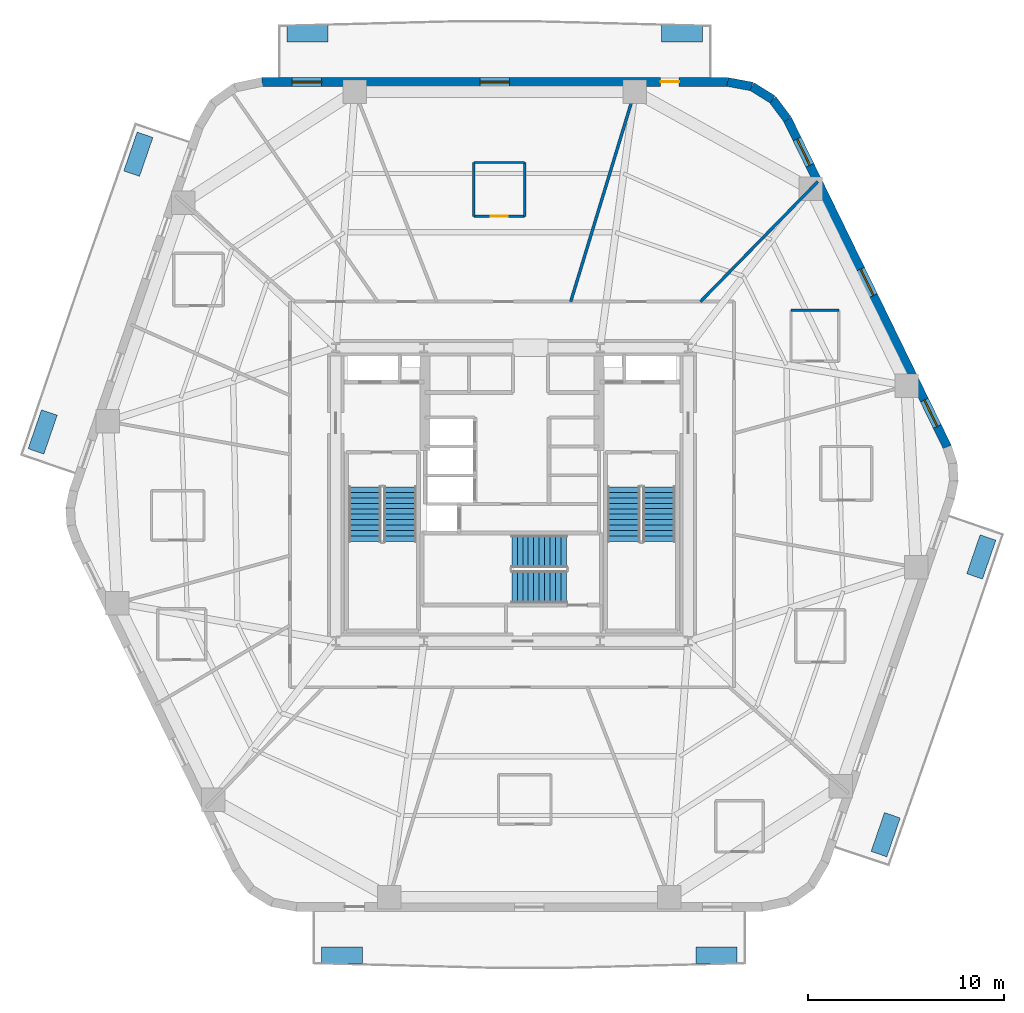
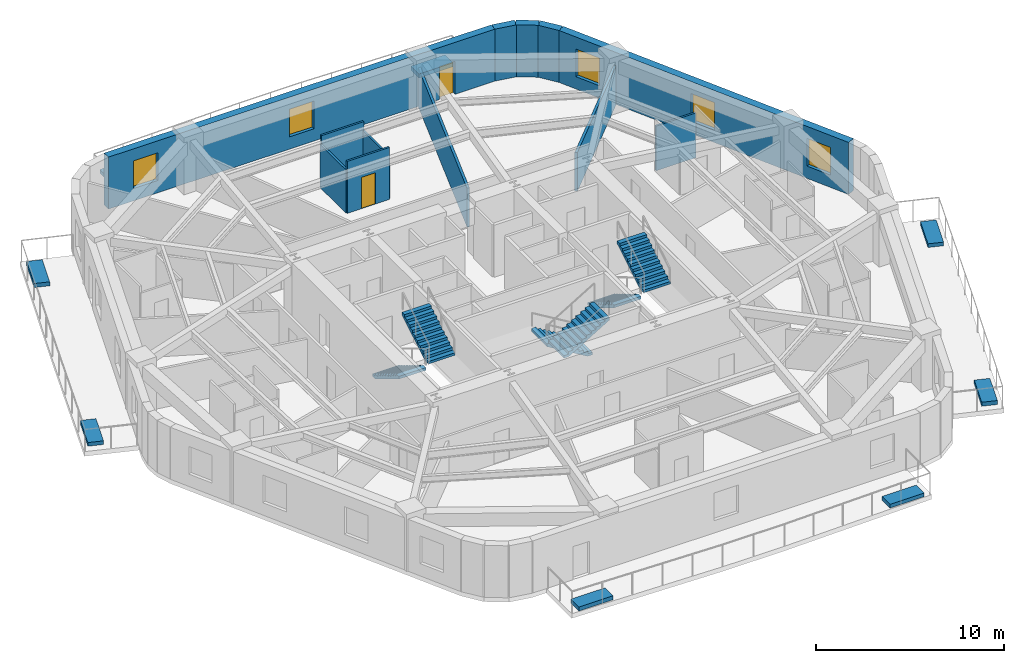
# One storey, part 6 of 8: 12 walls, 8 discrete accessories, 6 stair flights, 5 windows, 2 doors, 7 openings, 3 elements without a shape of their own.
"""IFC4 building model written with IfcOpenShell, lengths in metres."""

from ifc_helpers import new_model, si_unit, direction, frame, frame_2d, origin, origin_2d, place, context, subcontext, project, spatial, polyline, rectangle, outline, extrude, material, layer, layer_set, type_object, element, fill, aggregate, save


model = new_model("IFC4")

# Units and contexts
model_context = context("Model", 3, precision=1e-05, world=origin(), true_north=direction((0.0, 1.0)))
body_context = subcontext(model_context, "Body", "Model", "MODEL_VIEW")
ifc_project = project(units=[si_unit("LENGTHUNIT", "METRE"), si_unit("AREAUNIT", "SQUARE_METRE"), si_unit("VOLUMEUNIT", "CUBIC_METRE"), si_unit("PLANEANGLEUNIT", "RADIAN"), si_unit("MASSUNIT", "GRAM", prefix="KILO")], contexts=[model_context])

# Site, building, storey
site_placement = place(None, origin())
site = spatial("IfcSite", under=ifc_project, at=site_placement, CompositionType="ELEMENT")
building_placement = place(site_placement, origin())
building = spatial("IfcBuilding", under=site, at=building_placement, Name="Kilnhurst Terrace Hotel", CompositionType="ELEMENT")
storey_placement = place(building_placement, frame((0.0, 0.0, 135.800048828125)))
storey = spatial("IfcBuildingStorey", under=building, at=storey_placement, Name="L33", CompositionType="ELEMENT", Elevation=135.800048828125)

# Walls
ifc_material_1 = material(Name="Precast concrete C40/50", Category="concrete")
ifc_layer_1 = layer(ifc_material_1, 0.449951171875, Name="Precast concrete C40/50")
ifc_layer_set_1 = layer_set([ifc_layer_1], Name="Precast concrete C40/50")
wall_type_1 = type_object("IfcWallType", Name="WL-BRK-450", PredefinedType="SOLIDWALL", material=ifc_layer_set_1)
wall_1_placement = place(storey_placement, frame((14.07568359375, 19.16064453125, 0.0), z_axis=(0.0, 0.0, 1.0), x_axis=(-0.597226657159, 0.802072515412, 0.0)))
element("IfcWall", 1, at=wall_1_placement, inside=storey, type_object=wall_type_1, Name="L33 Rounded Corner Brick Wall C4.1", PredefinedType="SOLIDWALL", context=body_context, shape_type="SweptSolid", body=[
    extrude(rectangle(XDim=1.269287109375, YDim=0.449951171875, at=frame_2d((0.634765625, 0.0))), origin(), (0.0, 0.0, 1.0), 3.3798828125),
])
wall_2_placement = place(storey_placement, frame((13.317626953125, 20.1787109375, 0.0), z_axis=(0.0, 0.0, 1.0), x_axis=(-0.848031272749, 0.529946186362, 0.0)))
element("IfcWall", 2, at=wall_2_placement, inside=storey, type_object=wall_type_1, Name="L33 Rounded Corner Brick Wall C4.2", PredefinedType="SOLIDWALL", context=body_context, shape_type="SweptSolid", body=[
    extrude(rectangle(XDim=1.248046875, YDim=0.449951171875, at=frame_2d((0.6240234375, 0.0))), origin(), (0.0, 0.0, 1.0), 3.3798828125),
])
wall_3_placement = place(storey_placement, frame((12.25927734375, 20.840087890625, 0.0), z_axis=(0.0, 0.0, 1.0), x_axis=(-0.982730354425, 0.185043374624, 0.0)))
element("IfcWall", 3, at=wall_3_placement, inside=storey, type_object=wall_type_1, Name="L33 Rounded Corner Brick Wall C4.3", PredefinedType="SOLIDWALL", context=body_context, shape_type="SweptSolid", body=[
    extrude(rectangle(XDim=1.269287109375, YDim=0.449951171875, at=frame_2d((0.634765625, 0.0))), origin(), (0.0, 0.0, 1.0), 3.3798828125),
])

# Wall, openings, windows
wall_4_placement = place(storey_placement, frame((22.237548828125, 2.426513671875, 0.0), z_axis=(0.0, 0.0, 1.0), x_axis=(-0.438374803278, 0.898792262901, 0.0)))
wall_4 = element("IfcWall", 4, at=wall_4_placement, inside=storey, type_object=wall_type_1, Name="L33 Exterior Brick Facade Wall F3", PredefinedType="SOLIDWALL", context=body_context, shape_type="SweptSolid", body=[
    extrude(rectangle(XDim=18.618408203125, YDim=0.449951171875, at=frame_2d((9.30908203125, 0.0))), origin(), (0.0, 0.0, 1.0), 3.3798828125),
])
opening_1_placement = place(wall_4_placement, frame((8.610107421875, 0.0, 0.800048828125)))
opening_1 = element("IfcOpeningElement", 5, at=opening_1_placement, cuts=wall_4, Name="Opening W-02", PredefinedType="OPENING", context=body_context, shape_type="SweptSolid", body=[
    extrude(rectangle(XDim=1.5, YDim=1.800048828125, at=frame_2d((0.75, 0.89990234375))), frame((0.0, 0.23486328125, 0.0), z_axis=(0.0, -1.0, 0.0), x_axis=(1.0, 0.0, 0.0)), (0.0, 0.0, 1.0), 0.469970703125),
])
opening_2_placement = place(wall_4_placement, frame((16.006103515625, 0.0, 0.800048828125)))
opening_2 = element("IfcOpeningElement", 6, at=opening_2_placement, cuts=wall_4, Name="Opening W-02", PredefinedType="OPENING", context=body_context, shape_type="SweptSolid", body=[
    extrude(rectangle(XDim=1.5, YDim=1.800048828125, at=frame_2d((0.75, 0.89990234375))), frame((0.0, 0.23486328125, 0.0), z_axis=(0.0, -1.0, 0.0), x_axis=(1.0, 0.0, 0.0)), (0.0, 0.0, 1.0), 0.469970703125),
])
opening_3_placement = place(wall_4_placement, frame((1.1630859375, 0.0, 0.800048828125)))
opening_3 = element("IfcOpeningElement", 7, at=opening_3_placement, cuts=wall_4, Name="Opening W-02", PredefinedType="OPENING", context=body_context, shape_type="SweptSolid", body=[
    extrude(rectangle(XDim=1.5, YDim=1.800048828125, at=frame_2d((0.75, 0.89990234375))), frame((0.0, 0.23486328125, 0.0), z_axis=(0.0, -1.0, 0.0), x_axis=(1.0, 0.0, 0.0)), (0.0, 0.0, 1.0), 0.469970703125),
])
ifc_material_2 = material(Name="Thermally Broken Bronze Aluminium Alloy 6063-T6 and Low-E Glass", Category="aluminium")
window_type = type_object("IfcWindowType", Name="WIN-1500X1800", PartitioningType="SINGLE_PANEL", PredefinedType="WINDOW", material=ifc_material_2)
window_1_placement = place(opening_1_placement, origin())
window_1 = element("IfcWindow", 8, at=window_1_placement, inside=storey, type_object=window_type, Name="L33 Deep-Set Masonry Window F3.1", OverallHeight=1.800048828125, OverallWidth=1.5, PartitioningType="SINGLE_PANEL", PredefinedType="WINDOW", context=body_context, shape_type="SweptSolid", body=[
    extrude(rectangle(XDim=1.5, YDim=1.800048828125, at=frame_2d((0.75, 0.89990234375))), frame((0.0, 0.030029296875, 0.0), z_axis=(0.0, -1.0, 0.0), x_axis=(1.0, 0.0, 0.0)), (0.0, 0.0, 1.0), 0.06005859375),
])
fill(opening_1, window_1)
window_2_placement = place(opening_2_placement, origin())
window_2 = element("IfcWindow", 9, at=window_2_placement, inside=storey, type_object=window_type, Name="L33 Deep-Set Masonry Window F3.2", OverallHeight=1.800048828125, OverallWidth=1.5, PartitioningType="SINGLE_PANEL", PredefinedType="WINDOW", context=body_context, shape_type="SweptSolid", body=[
    extrude(rectangle(XDim=1.5, YDim=1.800048828125, at=frame_2d((0.75, 0.89990234375))), frame((0.0, 0.030029296875, 0.0), z_axis=(0.0, -1.0, 0.0), x_axis=(1.0, 0.0, 0.0)), (0.0, 0.0, 1.0), 0.06005859375),
])
fill(opening_2, window_2)
window_3_placement = place(opening_3_placement, origin())
window_3 = element("IfcWindow", 10, at=window_3_placement, inside=storey, type_object=window_type, Name="L33 Deep-Set Masonry Window F3.3", OverallHeight=1.800048828125, OverallWidth=1.5, PartitioningType="SINGLE_PANEL", PredefinedType="WINDOW", context=body_context, shape_type="SweptSolid", body=[
    extrude(rectangle(XDim=1.5, YDim=1.800048828125, at=frame_2d((0.75, 0.89990234375))), frame((0.0, 0.030029296875, 0.0), z_axis=(0.0, -1.0, 0.0), x_axis=(1.0, 0.0, 0.0)), (0.0, 0.0, 1.0), 0.06005859375),
])
fill(opening_3, window_3)

# Wall, openings, door, windows
wall_5_placement = place(storey_placement, frame((11.011962890625, 21.074951171875, 0.0), z_axis=(0.0, 0.0, 1.0), x_axis=(-1.0, 0.0, 0.0)))
wall_5 = element("IfcWall", 11, at=wall_5_placement, inside=storey, type_object=wall_type_1, Name="L33 Exterior Brick Facade Wall F4", PredefinedType="SOLIDWALL", context=body_context, shape_type="SweptSolid", body=[
    extrude(rectangle(XDim=23.782470703125, YDim=0.449951171875, at=frame_2d((11.89111328125, 0.0))), origin(), (0.0, 0.0, 1.0), 3.3798828125),
])
opening_4_placement = place(wall_5_placement, frame((2.472900390625, 0.0, 0.0)))
opening_4 = element("IfcOpeningElement", 12, at=opening_4_placement, cuts=wall_5, Name="Opening BD-950", PredefinedType="OPENING", context=body_context, shape_type="SweptSolid", body=[
    extrude(rectangle(XDim=0.949951171875, YDim=2.14990234375, at=frame_2d((0.47509765625, 1.074951171875))), frame((0.0, 0.23486328125, 0.0), z_axis=(0.0, -1.0, 0.0), x_axis=(1.0, 0.0, 0.0)), (0.0, 0.0, 1.0), 0.469970703125),
])
opening_5_placement = place(wall_5_placement, frame((11.14208984375, 0.0, 0.800048828125)))
opening_5 = element("IfcOpeningElement", 13, at=opening_5_placement, cuts=wall_5, Name="Opening W-02", PredefinedType="OPENING", context=body_context, shape_type="SweptSolid", body=[
    extrude(rectangle(XDim=1.5, YDim=1.800048828125, at=frame_2d((0.75, 0.89990234375))), frame((0.0, 0.23486328125, 0.0), z_axis=(0.0, -1.0, 0.0), x_axis=(1.0, 0.0, 0.0)), (0.0, 0.0, 1.0), 0.469970703125),
])
opening_6_placement = place(wall_5_placement, frame((20.740966796875, 0.0, 0.800048828125)))
opening_6 = element("IfcOpeningElement", 14, at=opening_6_placement, cuts=wall_5, Name="Opening W-02", PredefinedType="OPENING", context=body_context, shape_type="SweptSolid", body=[
    extrude(rectangle(XDim=1.5, YDim=1.800048828125, at=frame_2d((0.75, 0.89990234375))), frame((0.0, 0.23486328125, 0.0), z_axis=(0.0, -1.0, 0.0), x_axis=(1.0, 0.0, 0.0)), (0.0, 0.0, 1.0), 0.469970703125),
])
ifc_material_3 = material(Name="Thermally Broken Bronze Aluminium Alloy 6063-T6 and Laminated Glass", Category="aluminium")
door_type_1 = type_object("IfcDoorType", Name="DR-EXT-BAL-950", OperationType="NOTDEFINED", PredefinedType="DOOR", material=ifc_material_3)
door_1_placement = place(opening_4_placement, origin())
door_1 = element("IfcDoor", 15, at=door_1_placement, inside=storey, type_object=door_type_1, Name="L33 Planted Balcony Door BAL-L2A", OperationType="SINGLE_SWING_RIGHT", OverallHeight=2.14990234375, OverallWidth=0.949951171875, PredefinedType="DOOR", context=body_context, shape_type="SweptSolid", body=[
    extrude(rectangle(XDim=0.949951171875, YDim=2.14990234375, at=frame_2d((0.47509765625, 1.074951171875))), frame((0.0, 0.02490234375, 0.0), z_axis=(0.0, -1.0, 0.0), x_axis=(1.0, 0.0, 0.0)), (0.0, 0.0, 1.0), 0.050048828125),
])
fill(opening_4, door_1)
window_4_placement = place(opening_5_placement, origin())
window_4 = element("IfcWindow", 16, at=window_4_placement, inside=storey, type_object=window_type, Name="L33 Deep-Set Masonry Window F4.1", OverallHeight=1.800048828125, OverallWidth=1.5, PartitioningType="SINGLE_PANEL", PredefinedType="WINDOW", context=body_context, shape_type="SweptSolid", body=[
    extrude(rectangle(XDim=1.5, YDim=1.800048828125, at=frame_2d((0.75, 0.89990234375))), frame((0.0, 0.030029296875, 0.0), z_axis=(0.0, -1.0, 0.0), x_axis=(1.0, 0.0, 0.0)), (0.0, 0.0, 1.0), 0.06005859375),
])
fill(opening_5, window_4)
window_5_placement = place(opening_6_placement, origin())
window_5 = element("IfcWindow", 17, at=window_5_placement, inside=storey, type_object=window_type, Name="L33 Deep-Set Masonry Window F4.2", OverallHeight=1.800048828125, OverallWidth=1.5, PartitioningType="SINGLE_PANEL", PredefinedType="WINDOW", context=body_context, shape_type="SweptSolid", body=[
    extrude(rectangle(XDim=1.5, YDim=1.800048828125, at=frame_2d((0.75, 0.89990234375))), frame((0.0, 0.030029296875, 0.0), z_axis=(0.0, -1.0, 0.0), x_axis=(1.0, 0.0, 0.0)), (0.0, 0.0, 1.0), 0.06005859375),
])
fill(opening_6, window_5)

# Walls
ifc_material_4 = material(Name="STC-58 Acoustic Twin-Frame Guestroom Demising Partition")
ifc_layer_2 = layer(ifc_material_4, 0.14990234375, Name="STC-58 Acoustic Twin-Frame Guestroom Demising Partition")
ifc_layer_set_2 = layer_set([ifc_layer_2], Name="STC-58 Acoustic Twin-Frame Guestroom Demising Partition")
wall_type_2 = type_object("IfcWallType", Name="WL-DEM-150", PredefinedType="PARTITIONING", material=ifc_layer_set_2)
wall_6_placement = place(storey_placement, frame((9.6279296875, 9.85009765625, 0.0), z_axis=(0.0, 0.0, 1.0), x_axis=(0.698992824326, 0.715128681805, 0.0)))
element("IfcWall", 18, at=wall_6_placement, inside=storey, type_object=wall_type_2, Name="L33 Interior Wall WL-L33-DEM-COL02-02-1", PredefinedType="PARTITIONING", context=body_context, shape_type="SweptSolid", body=[
    extrude(rectangle(XDim=8.578857421875, YDim=0.14990234375, at=frame_2d((4.28955078125, 0.0))), origin(), (0.0, 0.0, 1.0), 2.52001953125),
])
wall_7_placement = place(storey_placement, frame((3.0, 9.85009765625, 0.0), z_axis=(0.0, 0.0, 1.0), x_axis=(0.291352035382, 0.95661590593, 0.0)))
element("IfcWall", 19, at=wall_7_placement, inside=storey, type_object=wall_type_2, Name="L33 Interior Wall WL-L33-DEM-COL03-03-1", PredefinedType="PARTITIONING", context=body_context, shape_type="SweptSolid", body=[
    extrude(rectangle(XDim=11.73388671875, YDim=0.14990234375, at=frame_2d((5.866943359375, 0.0))), origin(), (0.0, 0.0, 1.0), 2.52001953125),
])
ifc_material_5 = material(Name="120 mm Moisture-Resistant Tile-Backed Bathroom Partition")
ifc_layer_3 = layer(ifc_material_5, 0.1201171875, Name="120 mm Moisture-Resistant Tile-Backed Bathroom Partition")
ifc_layer_set_3 = layer_set([ifc_layer_3], Name="120 mm Moisture-Resistant Tile-Backed Bathroom Partition")
wall_type_3 = type_object("IfcWallType", Name="WL-PART-120", PredefinedType="PARTITIONING", material=ifc_layer_set_3)
wall_8_placement = place(storey_placement, frame((16.695068359375, 9.409912109375, 0.0), z_axis=(0.0, 0.0, 1.0), x_axis=(-1.0, 0.0, 0.0)))
element("IfcWall", 20, at=wall_8_placement, inside=storey, type_object=wall_type_3, Name="L33 Interior Wall WL-L33-BTH-01-3", PredefinedType="PARTITIONING", context=body_context, shape_type="SweptSolid", body=[
    extrude(rectangle(XDim=2.440185546875, YDim=0.1201171875, at=frame_2d((1.22021484375, 0.0))), origin(), (0.0, 0.0, 1.0), 2.906494140625),
])

# Wall, opening, door
wall_9_placement = place(storey_placement, frame((-1.951904296875, 14.2119140625, 0.0), z_axis=(0.0, 0.0, 1.0), x_axis=(1.0, 0.0, 0.0)))
wall_9 = element("IfcWall", 21, at=wall_9_placement, inside=storey, type_object=wall_type_3, Name="L33 Interior Wall WL-L33-BTH-03-1", PredefinedType="PARTITIONING", context=body_context, shape_type="SweptSolid", body=[
    extrude(rectangle(XDim=2.599853515625, YDim=0.1201171875, at=frame_2d((1.2998046875, 0.0))), origin(), (0.0, 0.0, 1.0), 3.3798828125),
])
opening_7_placement = place(wall_9_placement, frame((0.875, 0.0, 0.0)))
opening_7 = element("IfcOpeningElement", 22, at=opening_7_placement, cuts=wall_9, Name="Opening D-08A", PredefinedType="OPENING", context=body_context, shape_type="SweptSolid", body=[
    extrude(rectangle(XDim=0.85009765625, YDim=2.030029296875, at=frame_2d((0.425048828125, 1.01513671875))), frame((0.0, 0.070068359375, 0.0), z_axis=(0.0, -1.0, 0.0), x_axis=(1.0, 0.0, 0.0)), (0.0, 0.0, 1.0), 0.14013671875),
])
ifc_material_6 = material(Name="Moisture-Resistant Lacquered En-suite Bathroom Door")
door_type_2 = type_object("IfcDoorType", Name="DR-INT-850", OperationType="NOTDEFINED", PredefinedType="DOOR", material=ifc_material_6)
door_2_placement = place(opening_7_placement, origin())
door_2 = element("IfcDoor", 23, at=door_2_placement, inside=storey, type_object=door_type_2, Name="L33 En-suite Bathroom Door 3", OperationType="SINGLE_SWING_RIGHT", OverallHeight=2.030029296875, OverallWidth=0.85009765625, PredefinedType="DOOR", context=body_context, shape_type="SweptSolid", body=[
    extrude(rectangle(XDim=0.85009765625, YDim=2.030029296875, at=frame_2d((0.425048828125, 1.01513671875))), frame((0.0, 0.02490234375, 0.0), z_axis=(0.0, -1.0, 0.0), x_axis=(1.0, 0.0, 0.0)), (0.0, 0.0, 1.0), 0.050048828125),
])
fill(opening_7, door_2)

# Walls
wall_10_placement = place(storey_placement, frame((0.64794921875, 14.2119140625, 0.0), z_axis=(0.0, 0.0, 1.0), x_axis=(0.0, 1.0, 0.0)))
element("IfcWall", 24, at=wall_10_placement, inside=storey, type_object=wall_type_3, Name="L33 Interior Wall WL-L33-BTH-03-2", PredefinedType="PARTITIONING", context=body_context, shape_type="SweptSolid", body=[
    extrude(rectangle(XDim=2.75, YDim=0.1201171875, at=frame_2d((1.375, 0.0))), origin(), (0.0, 0.0, 1.0), 2.820556640625),
])
wall_11_placement = place(storey_placement, frame((0.64794921875, 16.9619140625, 0.0), z_axis=(0.0, 0.0, 1.0), x_axis=(-1.0, 0.0, 0.0)))
element("IfcWall", 25, at=wall_11_placement, inside=storey, type_object=wall_type_3, Name="L33 Interior Wall WL-L33-BTH-03-3", PredefinedType="PARTITIONING", context=body_context, shape_type="SweptSolid", body=[
    extrude(rectangle(XDim=2.599853515625, YDim=0.1201171875, at=frame_2d((1.2998046875, 0.0))), origin(), (0.0, 0.0, 1.0), 3.3798828125),
])
wall_12_placement = place(storey_placement, frame((-1.951904296875, 16.9619140625, 0.0), z_axis=(0.0, 0.0, 1.0), x_axis=(0.0, -1.0, 0.0)))
element("IfcWall", 26, at=wall_12_placement, inside=storey, type_object=wall_type_3, Name="L33 Interior Wall WL-L33-BTH-03-4", PredefinedType="PARTITIONING", context=body_context, shape_type="SweptSolid", body=[
    extrude(rectangle(XDim=2.75, YDim=0.1201171875, at=frame_2d((1.375, 0.0))), origin(), (0.0, 0.0, 1.0), 2.820556640625),
])

# Stair, stair flights
ifc_material_7 = material(Name="Concrete C50/60", Category="concrete")
stair_type = type_object("IfcStairType", Name="STR-CORE-1660", PredefinedType="HALF_TURN_STAIR", material=ifc_material_7)
stair_1_placement = place(storey_placement, origin())
stair_1 = element("IfcStair", 27, at=stair_1_placement, inside=storey, type_object=stair_type, Name="L33 ST-1", PredefinedType="HALF_TURN_STAIR")
stair_flight_type = type_object("IfcStairFlightType", Name="FLT-RC-1660", PredefinedType="STRAIGHT", material=ifc_material_7)
stair_flight_1_placement = place(storey_placement, frame((-7.52001953125, 0.389892578125, 0.0), z_axis=(0.0, 0.0, 1.0), x_axis=(0.0, -1.0, 0.0)))
stair_flight_1 = element("IfcStairFlight", 28, at=stair_flight_1_placement, type_object=stair_flight_type, Name="ST-1 flight 1", NumberOfRisers=11, NumberOfTreads=10, PredefinedType="STRAIGHT", RiserHeight=0.168181818, TreadLength=0.28, context=body_context, shape_type="SweptSolid", body=[
    extrude(outline(polyline([(0.0, 0.0), (0.0, 0.168212890625), (0.280029296875, 0.168212890625), (0.280029296875, 0.33642578125), (0.56005859375, 0.33642578125), (0.56005859375, 0.504638671875), (0.840087890625, 0.504638671875), (0.840087890625, 0.672607421875), (1.1201171875, 0.672607421875), (1.1201171875, 0.8408203125), (1.39990234375, 0.8408203125), (1.39990234375, 1.009033203125), (1.679931640625, 1.009033203125), (1.679931640625, 1.17724609375), (1.9599609375, 1.17724609375), (1.9599609375, 1.345458984375), (2.239990234375, 1.345458984375), (2.239990234375, 1.513671875), (2.52001953125, 1.513671875), (2.52001953125, 1.681884765625), (2.800048828125, 1.681884765625), (2.800048828125, 1.85009765625), (2.800048828125, 1.5068359375), (0.291015625, 0.0), (0.0, 0.0)])), frame((0.0, 0.830078125, 0.0), z_axis=(0.0, -1.0, 0.0), x_axis=(1.0, 0.0, 0.0)), (0.0, 0.0, 1.0), 1.659912109375),
])
stair_flight_2_placement = place(storey_placement, frame((-5.7099609375, -2.409912109375, 1.849853515625), z_axis=(0.0, 0.0, 1.0), x_axis=(0.0, 1.0, 0.0)))
stair_flight_2 = element("IfcStairFlight", 29, at=stair_flight_2_placement, type_object=stair_flight_type, Name="ST-1 flight 2", NumberOfRisers=11, NumberOfTreads=10, PredefinedType="STRAIGHT", RiserHeight=0.168181818, TreadLength=0.28, context=body_context, shape_type="SweptSolid", body=[
    extrude(outline(polyline([(0.0, 0.0), (0.0, 0.168212890625), (0.280029296875, 0.168212890625), (0.280029296875, 0.33642578125), (0.56005859375, 0.33642578125), (0.56005859375, 0.504638671875), (0.840087890625, 0.504638671875), (0.840087890625, 0.672607421875), (1.1201171875, 0.672607421875), (1.1201171875, 0.8408203125), (1.39990234375, 0.8408203125), (1.39990234375, 1.009033203125), (1.679931640625, 1.009033203125), (1.679931640625, 1.17724609375), (1.9599609375, 1.17724609375), (1.9599609375, 1.345458984375), (2.239990234375, 1.345458984375), (2.239990234375, 1.513671875), (2.52001953125, 1.513671875), (2.52001953125, 1.681884765625), (2.800048828125, 1.681884765625), (2.800048828125, 1.85009765625), (2.800048828125, 1.5068359375), (0.291015625, 0.0), (0.0, 0.0)])), frame((0.0, 0.830078125, 0.0), z_axis=(0.0, -1.0, 0.0), x_axis=(1.0, 0.0, 0.0)), (0.0, 0.0, 1.0), 1.659912109375),
])
aggregate(stair_1, [stair_flight_1, stair_flight_2])

stair_2_placement = place(storey_placement, origin())
stair_2 = element("IfcStair", 30, at=stair_2_placement, inside=storey, type_object=stair_type, Name="L33 ST-2", PredefinedType="HALF_TURN_STAIR")
stair_flight_3_placement = place(storey_placement, frame((5.7099609375, 0.389892578125, 0.0), z_axis=(0.0, 0.0, 1.0), x_axis=(0.0, -1.0, 0.0)))
stair_flight_3 = element("IfcStairFlight", 31, at=stair_flight_3_placement, type_object=stair_flight_type, Name="ST-2 flight 1", NumberOfRisers=11, NumberOfTreads=10, PredefinedType="STRAIGHT", RiserHeight=0.168181818, TreadLength=0.28, context=body_context, shape_type="SweptSolid", body=[
    extrude(outline(polyline([(0.0, 0.0), (0.0, 0.168212890625), (0.280029296875, 0.168212890625), (0.280029296875, 0.33642578125), (0.56005859375, 0.33642578125), (0.56005859375, 0.504638671875), (0.840087890625, 0.504638671875), (0.840087890625, 0.672607421875), (1.1201171875, 0.672607421875), (1.1201171875, 0.8408203125), (1.39990234375, 0.8408203125), (1.39990234375, 1.009033203125), (1.679931640625, 1.009033203125), (1.679931640625, 1.17724609375), (1.9599609375, 1.17724609375), (1.9599609375, 1.345458984375), (2.239990234375, 1.345458984375), (2.239990234375, 1.513671875), (2.52001953125, 1.513671875), (2.52001953125, 1.681884765625), (2.800048828125, 1.681884765625), (2.800048828125, 1.85009765625), (2.800048828125, 1.5068359375), (0.291015625, 0.0), (0.0, 0.0)])), frame((0.0, 0.830078125, 0.0), z_axis=(0.0, -1.0, 0.0), x_axis=(1.0, 0.0, 0.0)), (0.0, 0.0, 1.0), 1.659912109375),
])
stair_flight_4_placement = place(storey_placement, frame((7.52001953125, -2.409912109375, 1.849853515625), z_axis=(0.0, 0.0, 1.0), x_axis=(0.0, 1.0, 0.0)))
stair_flight_4 = element("IfcStairFlight", 32, at=stair_flight_4_placement, type_object=stair_flight_type, Name="ST-2 flight 2", NumberOfRisers=11, NumberOfTreads=10, PredefinedType="STRAIGHT", RiserHeight=0.168181818, TreadLength=0.28, context=body_context, shape_type="SweptSolid", body=[
    extrude(outline(polyline([(0.0, 0.0), (0.0, 0.168212890625), (0.280029296875, 0.168212890625), (0.280029296875, 0.33642578125), (0.56005859375, 0.33642578125), (0.56005859375, 0.504638671875), (0.840087890625, 0.504638671875), (0.840087890625, 0.672607421875), (1.1201171875, 0.672607421875), (1.1201171875, 0.8408203125), (1.39990234375, 0.8408203125), (1.39990234375, 1.009033203125), (1.679931640625, 1.009033203125), (1.679931640625, 1.17724609375), (1.9599609375, 1.17724609375), (1.9599609375, 1.345458984375), (2.239990234375, 1.345458984375), (2.239990234375, 1.513671875), (2.52001953125, 1.513671875), (2.52001953125, 1.681884765625), (2.800048828125, 1.681884765625), (2.800048828125, 1.85009765625), (2.800048828125, 1.5068359375), (0.291015625, 0.0), (0.0, 0.0)])), frame((0.0, 0.830078125, 0.0), z_axis=(0.0, -1.0, 0.0), x_axis=(1.0, 0.0, 0.0)), (0.0, 0.0, 1.0), 1.659912109375),
])
aggregate(stair_2, [stair_flight_3, stair_flight_4])

stair_3_placement = place(storey_placement, origin())
stair_3 = element("IfcStair", 33, at=stair_3_placement, inside=storey, type_object=stair_type, Name="L33 ST-3", PredefinedType="HALF_TURN_STAIR")
stair_flight_5_placement = place(storey_placement, frame((2.7900390625, -2.909912109375, 0.0), z_axis=(0.0, 0.0, 1.0), x_axis=(-1.0, 0.0, 0.0)))
stair_flight_5 = element("IfcStairFlight", 34, at=stair_flight_5_placement, type_object=stair_flight_type, Name="ST-3 flight 1", NumberOfRisers=11, NumberOfTreads=10, PredefinedType="STRAIGHT", RiserHeight=0.168181818, TreadLength=0.28, context=body_context, shape_type="SweptSolid", body=[
    extrude(outline(polyline([(0.0, 0.0), (0.0, 0.168212890625), (0.280029296875, 0.168212890625), (0.280029296875, 0.33642578125), (0.56005859375, 0.33642578125), (0.56005859375, 0.504638671875), (0.840087890625, 0.504638671875), (0.840087890625, 0.672607421875), (1.1201171875, 0.672607421875), (1.1201171875, 0.8408203125), (1.39990234375, 0.8408203125), (1.39990234375, 1.009033203125), (1.679931640625, 1.009033203125), (1.679931640625, 1.17724609375), (1.9599609375, 1.17724609375), (1.9599609375, 1.345458984375), (2.239990234375, 1.345458984375), (2.239990234375, 1.513671875), (2.52001953125, 1.513671875), (2.52001953125, 1.681884765625), (2.800048828125, 1.681884765625), (2.800048828125, 1.85009765625), (2.800048828125, 1.5068359375), (0.291015625, 0.0), (0.0, 0.0)])), frame((0.0, 0.830078125, 0.0), z_axis=(0.0, -1.0, 0.0), x_axis=(1.0, 0.0, 0.0)), (0.0, 0.0, 1.0), 1.659912109375),
])
stair_flight_6_placement = place(storey_placement, frame((-0.010009765625, -4.719970703125, 1.849853515625), z_axis=(0.0, 0.0, 1.0), x_axis=(1.0, 0.0, 0.0)))
stair_flight_6 = element("IfcStairFlight", 35, at=stair_flight_6_placement, type_object=stair_flight_type, Name="ST-3 flight 2", NumberOfRisers=11, NumberOfTreads=10, PredefinedType="STRAIGHT", RiserHeight=0.168181818, TreadLength=0.28, context=body_context, shape_type="SweptSolid", body=[
    extrude(outline(polyline([(0.0, 0.0), (0.0, 0.168212890625), (0.280029296875, 0.168212890625), (0.280029296875, 0.33642578125), (0.56005859375, 0.33642578125), (0.56005859375, 0.504638671875), (0.840087890625, 0.504638671875), (0.840087890625, 0.672607421875), (1.1201171875, 0.672607421875), (1.1201171875, 0.8408203125), (1.39990234375, 0.8408203125), (1.39990234375, 1.009033203125), (1.679931640625, 1.009033203125), (1.679931640625, 1.17724609375), (1.9599609375, 1.17724609375), (1.9599609375, 1.345458984375), (2.239990234375, 1.345458984375), (2.239990234375, 1.513671875), (2.52001953125, 1.513671875), (2.52001953125, 1.681884765625), (2.800048828125, 1.681884765625), (2.800048828125, 1.85009765625), (2.800048828125, 1.5068359375), (0.291015625, 0.0), (0.0, 0.0)])), frame((0.0, 0.830078125, 0.0), z_axis=(0.0, -1.0, 0.0), x_axis=(1.0, 0.0, 0.0)), (0.0, 0.0, 1.0), 1.659912109375),
])
aggregate(stair_3, [stair_flight_5, stair_flight_6])

# Discrete accessories
ifc_material_8 = material(Name="Precast Concrete C40/50 Shrub Planter", Category="concrete")
discrete_accessory_type_1 = type_object("IfcDiscreteAccessoryType", Name="PLN-SHRUB-240", PredefinedType="USERDEFINED", material=ifc_material_8)
for number, where, z_axis, x_axis, name in (
    (36, (10.443603515625, -23.550048828125, 0.0), (0.0, 0.0, 1.0), (1.0, 0.0, 0.0), "L33 Structural Tree Planter Box PLANTER BAL-L1A.2"),
    (37, (23.9765625, -3.193115234375, 0.0), (0.0, 0.0, 1.0), (0.325601159083, 0.945507210551, 0.0), "L33 Structural Tree Planter Box PLANTER BAL-L1B.2"),
    (38, (-10.443603515625, 23.550048828125, 0.0), (0.0, 0.0, 1.0), (-1.0, 0.0, 0.0), "L33 Structural Tree Planter Box PLANTER BAL-L2A.2"),
    (39, (-23.9765625, 3.193115234375, 0.0), (0.0, 0.0, 1.0), (-0.325601159083, -0.945507210551, 0.0), "L33 Structural Tree Planter Box PLANTER BAL-L2B.2"),
):
    element("IfcDiscreteAccessory", number, at=place(storey_placement, frame(where, z_axis=z_axis, x_axis=x_axis)), inside=storey, type_object=discrete_accessory_type_1, Name=name, ObjectType="PLANTER", PredefinedType="USERDEFINED", context=body_context, shape_type="SweptSolid", body=[
        extrude(rectangle(XDim=2.10009765625, YDim=0.85009765625, at=origin_2d()), origin(), (0.0, 0.0, 1.0), 0.239990234375),
    ])
ifc_material_9 = material(Name="Precast Concrete C40/50 Tree Planter", Category="concrete")
discrete_accessory_type_2 = type_object("IfcDiscreteAccessoryType", Name="PLN-TREE-260", PredefinedType="USERDEFINED", material=ifc_material_9)
for number, where, z_axis, x_axis, name in (
    (40, (-8.68310546875, -23.550048828125, 0.0), (0.0, 0.0, 1.0), (1.0, 0.0, 0.0), "L33 Structural Tree Planter Box PLANTER BAL-L1A.1"),
    (41, (19.090087890625, -17.3828125, 0.0), (0.0, 0.0, 1.0), (0.325601159083, 0.945507210551, 0.0), "L33 Structural Tree Planter Box PLANTER BAL-L1B.1"),
    (42, (8.68310546875, 23.550048828125, 0.0), (0.0, 0.0, 1.0), (-1.0, 0.0, 0.0), "L33 Structural Tree Planter Box PLANTER BAL-L2A.1"),
    (43, (-19.090087890625, 17.3828125, 0.0), (0.0, 0.0, 1.0), (-0.325601159083, -0.945507210551, 0.0), "L33 Structural Tree Planter Box PLANTER BAL-L2B.1"),
):
    element("IfcDiscreteAccessory", number, at=place(storey_placement, frame(where, z_axis=z_axis, x_axis=x_axis)), inside=storey, type_object=discrete_accessory_type_2, Name=name, ObjectType="PLANTER", PredefinedType="USERDEFINED", context=body_context, shape_type="SweptSolid", body=[
        extrude(rectangle(XDim=2.10009765625, YDim=0.85009765625, at=origin_2d()), origin(), (0.0, 0.0, 1.0), 0.260009765625),
    ])

save(model, "model.ifc")
